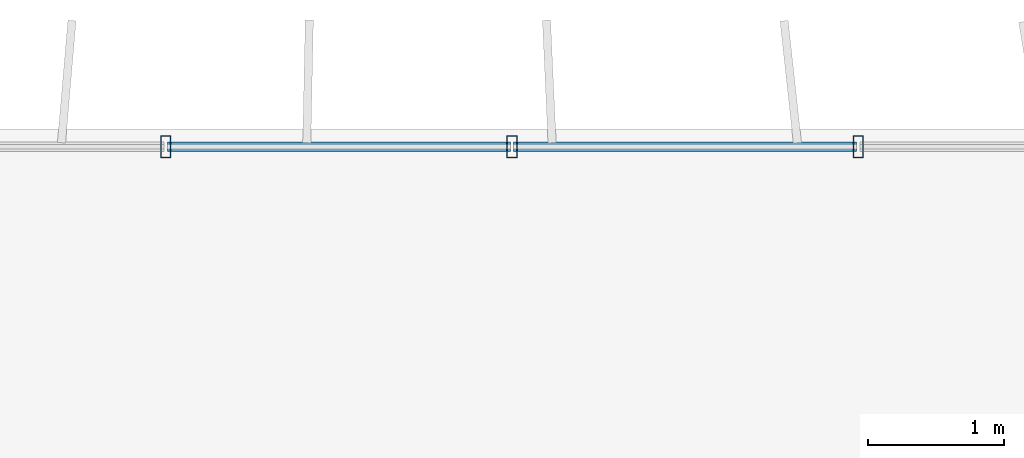
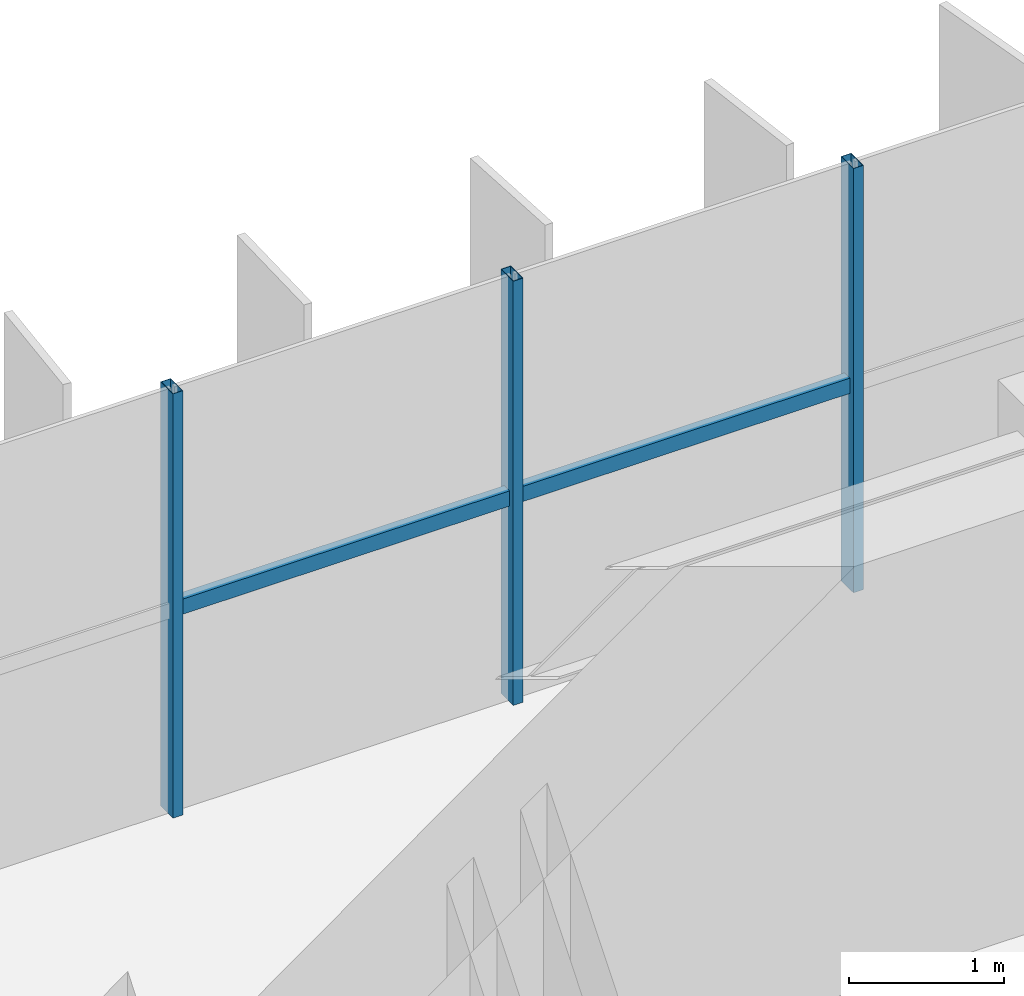
# One storey, part 6 of 21: 5 members, 1 element without a shape of its own.
"""IFC4 building model written with IfcOpenShell, lengths in metres."""

from ifc_helpers import new_model, si_unit, direction, frame, origin, origin_2d, place, context, subcontext, project, spatial, hollow_rectangle, extrude, source, transform, mapped, material, material_profile, profile_set, type_object, element, aggregate, save


model = new_model("IFC4")

# Units and contexts
model_context = context("Model", 3, precision=1e-05, world=origin(), true_north=direction((0.0, 1.0)))
body_context = subcontext(model_context, "Body", "Model", "MODEL_VIEW")
ifc_project = project(units=[si_unit("LENGTHUNIT", "METRE"), si_unit("AREAUNIT", "SQUARE_METRE"), si_unit("VOLUMEUNIT", "CUBIC_METRE"), si_unit("PLANEANGLEUNIT", "RADIAN"), si_unit("MASSUNIT", "GRAM", prefix="KILO")], contexts=[model_context])

# Site, building, storey
site_placement = place(None, origin())
site = spatial("IfcSite", under=ifc_project, at=site_placement, CompositionType="ELEMENT")
building_placement = place(site_placement, origin())
building = spatial("IfcBuilding", under=site, at=building_placement, Name="Trelvane Seafront Commons", CompositionType="ELEMENT")
storey_placement = place(building_placement, frame((0.0, 0.0, 153.699951171875)))
storey = spatial("IfcBuildingStorey", under=building, at=storey_placement, Name="L40", CompositionType="ELEMENT", Elevation=153.699951171875)

# Curtain wall, members
ifc_material = material(Name="Anodised pale-silver aluminium", Category="aluminium")
curtain_wall_type = type_object("IfcCurtainWallType", Name="ARCH-CW5-UPTOWER", PredefinedType="NOTDEFINED", material=ifc_material)
curtain_wall_placement = place(storey_placement, origin())
curtain_wall = element("IfcCurtainWall", 1, at=curtain_wall_placement, inside=storey, type_object=curtain_wall_type, Name="CW-L40-0067", PredefinedType="NOTDEFINED")
ifc_material_profile_1 = material_profile(ifc_material, hollow_rectangle(XDim=0.070068359375, YDim=0.1201171875, WallThickness=0.00390625, at=origin_2d()), Name="TRAN-70x120x4")
ifc_profile_set_1 = profile_set([ifc_material_profile_1], Name="Anodised pale-silver aluminium")
member_type_1 = type_object("IfcMemberType", Name="ARCH-CW-TRAN-120", PredefinedType="USERDEFINED", material=ifc_profile_set_1)
shared_shape_1 = source(origin(), body_context, "Body", "SweptSolid", [
    extrude(hollow_rectangle(XDim=0.070068359375, YDim=0.1201171875, WallThickness=0.00390625, at=origin_2d()), origin(), (0.0, 0.0, 1.0), 2.517333984375),
])
member_1_placement = place(storey_placement, frame((25.776611328125, 48.3701171875, 1.608154296875), z_axis=(1.0, 0.0, 0.0), x_axis=(0.0, 1.0, 0.0)))
member_1 = element("IfcMember", 2, at=member_1_placement, type_object=member_type_1, Name="CW-L40-0067-T04", ObjectType="TRANSOM", PredefinedType="USERDEFINED", context=body_context, shape_type="MappedRepresentation", body=[
    mapped(shared_shape_1, transform((0.0, 0.0, 0.0), x_axis=(1.0, 0.0, 0.0), y_axis=(0.0, 1.0, 0.0), z_axis=(0.0, 0.0, 1.0), scale=1.0)),
])
member_2_placement = place(storey_placement, frame((28.31787109375, 48.3701171875, 1.608154296875), z_axis=(1.0, 0.0, 0.0), x_axis=(0.0, 1.0, 0.0)))
member_2 = element("IfcMember", 3, at=member_2_placement, type_object=member_type_1, Name="CW-L40-0067-T05", ObjectType="TRANSOM", PredefinedType="USERDEFINED", context=body_context, shape_type="MappedRepresentation", body=[
    mapped(shared_shape_1, transform((0.0, 0.0, 0.0), x_axis=(1.0, 0.0, 0.0), y_axis=(0.0, 1.0, 0.0), z_axis=(0.0, 0.0, 1.0), scale=1.0)),
])
ifc_material_profile_2 = material_profile(ifc_material, hollow_rectangle(XDim=0.074951171875, YDim=0.159912109375, WallThickness=0.00390625, at=origin_2d()), Name="MULL-75x160x4")
ifc_profile_set_2 = profile_set([ifc_material_profile_2], Name="Anodised pale-silver aluminium")
member_type_2 = type_object("IfcMemberType", Name="ARCH-CW-MULL-160", PredefinedType="MULLION", material=ifc_profile_set_2)
shared_shape_2 = source(origin(), body_context, "Body", "SweptSolid", [
    extrude(hollow_rectangle(XDim=0.074951171875, YDim=0.159912109375, WallThickness=0.00390625, at=origin_2d()), origin(), (0.0, 0.0, 1.0), 3.35009765625),
])
member_3_placement = place(storey_placement, frame((25.7646484375, 48.3701171875, 0.0), z_axis=(0.0, 0.0, 1.0), x_axis=(1.0, 0.0, 0.0)))
member_3 = element("IfcMember", 4, at=member_3_placement, type_object=member_type_2, Name="CW-L40-0067-M04", PredefinedType="MULLION", context=body_context, shape_type="MappedRepresentation", body=[
    mapped(shared_shape_2, transform((0.0, 0.0, 0.0), x_axis=(1.0, 0.0, 0.0), y_axis=(0.0, 1.0, 0.0), z_axis=(0.0, 0.0, 1.0), scale=1.0)),
])
member_4_placement = place(storey_placement, frame((28.305908203125, 48.3701171875, 0.0), z_axis=(0.0, 0.0, 1.0), x_axis=(1.0, 0.0, 0.0)))
member_4 = element("IfcMember", 5, at=member_4_placement, type_object=member_type_2, Name="CW-L40-0067-M05", PredefinedType="MULLION", context=body_context, shape_type="MappedRepresentation", body=[
    mapped(shared_shape_2, transform((0.0, 0.0, 0.0), x_axis=(1.0, 0.0, 0.0), y_axis=(0.0, 1.0, 0.0), z_axis=(0.0, 0.0, 1.0), scale=1.0)),
])
member_5_placement = place(storey_placement, frame((30.84716796875, 48.3701171875, 0.0), z_axis=(0.0, 0.0, 1.0), x_axis=(1.0, 0.0, 0.0)))
member_5 = element("IfcMember", 6, at=member_5_placement, type_object=member_type_2, Name="CW-L40-0067-M06", PredefinedType="MULLION", context=body_context, shape_type="MappedRepresentation", body=[
    mapped(shared_shape_2, transform((0.0, 0.0, 0.0), x_axis=(1.0, 0.0, 0.0), y_axis=(0.0, 1.0, 0.0), z_axis=(0.0, 0.0, 1.0), scale=1.0)),
])
aggregate(curtain_wall, [member_3, member_4, member_5, member_1, member_2])

save(model, "model.ifc")
